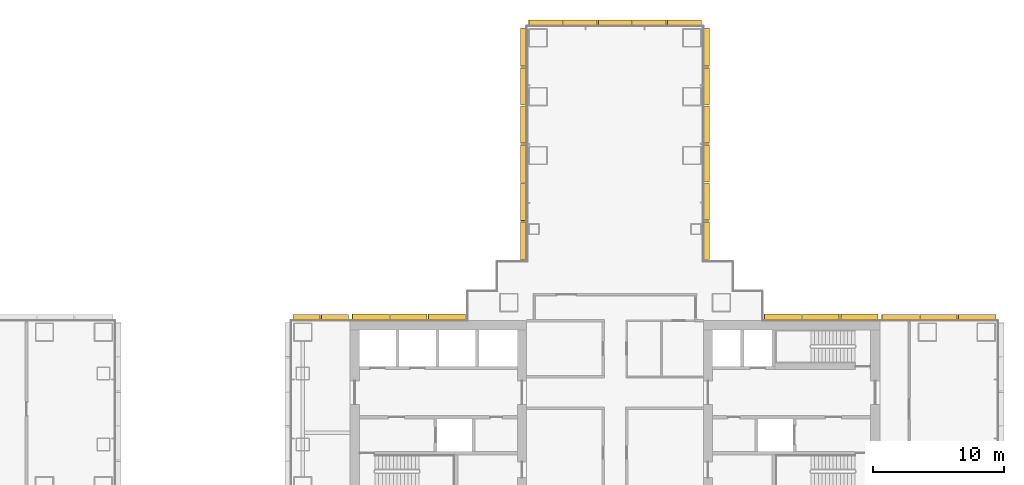
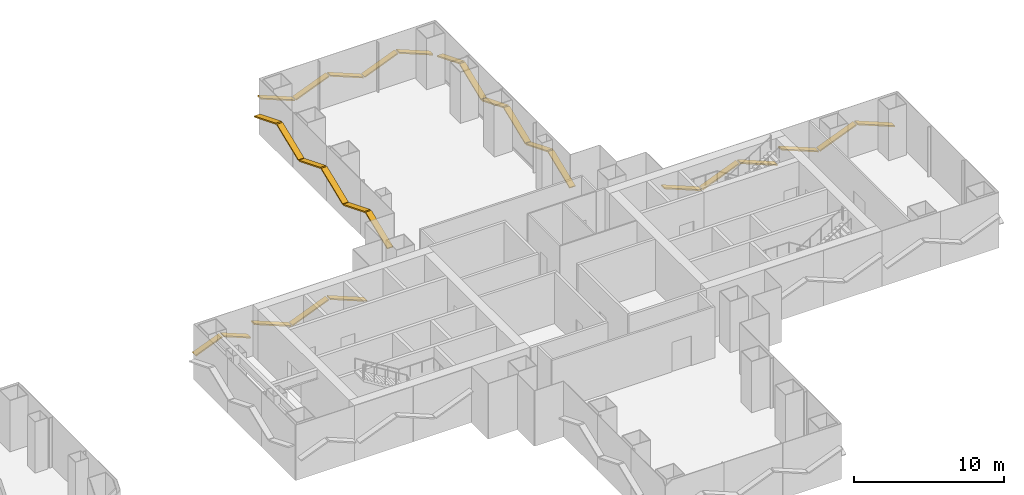
# One storey, part 22 of 22: 28 shading devices.
"""IFC4 building model written with IfcOpenShell, lengths in metres."""

from ifc_helpers import new_model, si_unit, direction, frame, origin, origin_2d, place, context, subcontext, project, spatial, rectangle, extrude, material, material_profile, profile_set, type_object, element, save


model = new_model("IFC4")

# Units and contexts
model_context = context("Model", 3, precision=1e-05, world=origin(), true_north=direction((0.0, 1.0)))
body_context = subcontext(model_context, "Body", "Model", "MODEL_VIEW")
ifc_project = project(units=[si_unit("LENGTHUNIT", "METRE"), si_unit("AREAUNIT", "SQUARE_METRE"), si_unit("VOLUMEUNIT", "CUBIC_METRE"), si_unit("PLANEANGLEUNIT", "RADIAN"), si_unit("MASSUNIT", "GRAM", prefix="KILO")], contexts=[model_context])

# Site, building, storey
site_placement = place(None, origin())
site = spatial("IfcSite", under=ifc_project, at=site_placement, CompositionType="ELEMENT")
building_placement = place(site_placement, origin())
building = spatial("IfcBuilding", under=site, at=building_placement, Name="Shamsa Quay Exchange Towers", CompositionType="ELEMENT")
storey_placement = place(building_placement, frame((0.0, 0.0, 37.5)))
storey = spatial("IfcBuildingStorey", under=building, at=storey_placement, Name="L07", CompositionType="ELEMENT", Elevation=37.5)

# Shading devices
ifc_material = material(Name="Aluminium EN AW-6063 T6, black anodised", Category="aluminium")
ifc_material_profile = material_profile(ifc_material, rectangle(XDim=0.449951171875, YDim=0.10009765625, at=origin_2d()), Name="FIN450x100")
ifc_profile_set = profile_set([ifc_material_profile], Name="Aluminium EN AW-6063 T6, black anodised")
shading_device_type = type_object("IfcShadingDeviceType", Name="FIN 450x100 BLACK ALUMINIUM", PredefinedType="USERDEFINED", material=ifc_profile_set)
shading_device_1_placement = place(storey_placement, frame((62.85009765625, 7.014892578125, 1.32421875), z_axis=(-0.927172879528, 0.0, 0.374633756445), x_axis=(0.0, -1.0, 0.0)))
element("IfcShadingDevice", 1, at=shading_device_1_placement, inside=storey, type_object=shading_device_type, Name="FIN T2 chevron rib", ObjectType="FIN", PredefinedType="USERDEFINED", context=body_context, shape_type="SweptSolid", body=[
    extrude(rectangle(XDim=0.449951171875, YDim=0.10009765625, at=origin_2d()), origin(), (0.0, 0.0, 1.0), 3.073974609375),
])
shading_device_2_placement = place(storey_placement, frame((59.89990234375, 7.014892578125, 2.465576171875), z_axis=(-0.927194321903, 0.0, -0.374580684808), x_axis=(0.0, -1.0, 0.0)))
element("IfcShadingDevice", 2, at=shading_device_2_placement, inside=storey, type_object=shading_device_type, Name="FIN T2 chevron rib", ObjectType="FIN", PredefinedType="USERDEFINED", context=body_context, shape_type="SweptSolid", body=[
    extrude(rectangle(XDim=0.449951171875, YDim=0.10009765625, at=origin_2d()), origin(), (0.0, 0.0, 1.0), 3.01953125),
])
for number, where, z_axis, x_axis, name in (
    (3, (57.0, 7.014892578125, 1.32421875), (-0.927172879528, 0.0, 0.374633756445), (0.0, -1.0, 0.0), "FIN T2 chevron rib"),
    (4, (53.85009765625, 7.01904296875, 1.32421875), (-0.927172879528, 0.0, 0.374633756445), (0.0, -1.0, 0.0), "FIN T2 chevron rib"),
):
    element("IfcShadingDevice", number, at=place(storey_placement, frame(where, z_axis=z_axis, x_axis=x_axis)), inside=storey, type_object=shading_device_type, Name=name, ObjectType="FIN", PredefinedType="USERDEFINED", context=body_context, shape_type="SweptSolid", body=[
        extrude(rectangle(XDim=0.449951171875, YDim=0.10009765625, at=origin_2d()), origin(), (0.0, 0.0, 1.0), 3.073974609375),
    ])
shading_device_3_placement = place(storey_placement, frame((50.89990234375, 7.01904296875, 2.465576171875), z_axis=(-0.927194321903, 0.0, -0.374580684808), x_axis=(0.0, -1.0, 0.0)))
element("IfcShadingDevice", 5, at=shading_device_3_placement, inside=storey, type_object=shading_device_type, Name="FIN T2 chevron rib", ObjectType="FIN", PredefinedType="USERDEFINED", context=body_context, shape_type="SweptSolid", body=[
    extrude(rectangle(XDim=0.449951171875, YDim=0.10009765625, at=origin_2d()), origin(), (0.0, 0.0, 1.0), 3.01953125),
])
shading_device_4_placement = place(storey_placement, frame((48.0, 7.01904296875, 1.32421875), z_axis=(-0.927172879528, 0.0, 0.374633756445), x_axis=(0.0, -1.0, 0.0)))
element("IfcShadingDevice", 6, at=shading_device_4_placement, inside=storey, type_object=shading_device_type, Name="FIN T2 chevron rib", ObjectType="FIN", PredefinedType="USERDEFINED", context=body_context, shape_type="SweptSolid", body=[
    extrude(rectangle(XDim=0.449951171875, YDim=0.10009765625, at=origin_2d()), origin(), (0.0, 0.0, 1.0), 3.073974609375),
])
shading_device_5_placement = place(storey_placement, frame((40.764892578125, 11.43798828125, 1.3154296875), z_axis=(0.0, 0.927181758575, 0.374611781137), x_axis=(-1.0, 0.0, 0.0)))
element("IfcShadingDevice", 7, at=shading_device_5_placement, inside=storey, type_object=shading_device_type, Name="FIN T2 chevron rib", ObjectType="FIN", PredefinedType="USERDEFINED", context=body_context, shape_type="SweptSolid", body=[
    extrude(rectangle(XDim=0.449951171875, YDim=0.10009765625, at=origin_2d()), origin(), (0.0, 0.0, 1.0), 3.12109375),
])
for number, where, z_axis, x_axis, name in (
    (8, (40.764892578125, 14.431640625, 2.474365234375), (0.0, 0.927186549588, -0.374599922936), (-1.0, 0.0, 0.0), "FIN T2 chevron rib"),
    (9, (40.764892578125, 17.375244140625, 1.325439453125), (0.0, 0.927186549588, 0.374599922936), (-1.0, 0.0, 0.0), "FIN T2 chevron rib"),
):
    element("IfcShadingDevice", number, at=place(storey_placement, frame(where, z_axis=z_axis, x_axis=x_axis)), inside=storey, type_object=shading_device_type, Name=name, ObjectType="FIN", PredefinedType="USERDEFINED", context=body_context, shape_type="SweptSolid", body=[
        extrude(rectangle(XDim=0.449951171875, YDim=0.10009765625, at=origin_2d()), origin(), (0.0, 0.0, 1.0), 3.067138671875),
    ])
shading_device_6_placement = place(storey_placement, frame((40.764892578125, 20.319091796875, 2.474365234375), z_axis=(0.0, 0.927175378404, -0.374627571973), x_axis=(-1.0, 0.0, 0.0)))
element("IfcShadingDevice", 10, at=shading_device_6_placement, inside=storey, type_object=shading_device_type, Name="FIN T2 chevron rib", ObjectType="FIN", PredefinedType="USERDEFINED", context=body_context, shape_type="SweptSolid", body=[
    extrude(rectangle(XDim=0.449951171875, YDim=0.10009765625, at=origin_2d()), origin(), (0.0, 0.0, 1.0), 3.06689453125),
])
shading_device_7_placement = place(storey_placement, frame((40.764892578125, 23.2626953125, 1.325439453125), z_axis=(0.0, 0.927186549588, 0.374599922936), x_axis=(-1.0, 0.0, 0.0)))
element("IfcShadingDevice", 11, at=shading_device_7_placement, inside=storey, type_object=shading_device_type, Name="FIN T2 chevron rib", ObjectType="FIN", PredefinedType="USERDEFINED", context=body_context, shape_type="SweptSolid", body=[
    extrude(rectangle(XDim=0.449951171875, YDim=0.10009765625, at=origin_2d()), origin(), (0.0, 0.0, 1.0), 3.067138671875),
])
shading_device_8_placement = place(storey_placement, frame((40.764892578125, 26.206298828125, 2.484619140625), z_axis=(0.0, 0.927181758575, -0.374611781137), x_axis=(-1.0, 0.0, 0.0)))
element("IfcShadingDevice", 12, at=shading_device_8_placement, inside=storey, type_object=shading_device_type, Name="FIN T2 chevron rib", ObjectType="FIN", PredefinedType="USERDEFINED", context=body_context, shape_type="SweptSolid", body=[
    extrude(rectangle(XDim=0.449951171875, YDim=0.10009765625, at=origin_2d()), origin(), (0.0, 0.0, 1.0), 3.12109375),
])
shading_device_9_placement = place(storey_placement, frame((40.35009765625, 29.514892578125, 1.376708984375), z_axis=(-0.927193392866, 0.0, 0.374582984431), x_axis=(0.0, -1.0, 0.0)))
element("IfcShadingDevice", 13, at=shading_device_9_placement, inside=storey, type_object=shading_device_type, Name="FIN T2 chevron rib", ObjectType="FIN", PredefinedType="USERDEFINED", context=body_context, shape_type="SweptSolid", body=[
    extrude(rectangle(XDim=0.449951171875, YDim=0.10009765625, at=origin_2d()), origin(), (0.0, 0.0, 1.0), 2.79345703125),
])
shading_device_10_placement = place(storey_placement, frame((37.659912109375, 29.514892578125, 2.4130859375), z_axis=(-0.92718648049, 0.0, -0.374600093963), x_axis=(0.0, -1.0, 0.0)))
element("IfcShadingDevice", 14, at=shading_device_10_placement, inside=storey, type_object=shading_device_type, Name="FIN T2 chevron rib", ObjectType="FIN", PredefinedType="USERDEFINED", context=body_context, shape_type="SweptSolid", body=[
    extrude(rectangle(XDim=0.449951171875, YDim=0.10009765625, at=origin_2d()), origin(), (0.0, 0.0, 1.0), 2.7392578125),
])
shading_device_11_placement = place(storey_placement, frame((35.02001953125, 29.514892578125, 1.386962890625), z_axis=(-0.927198985683, 0.0, 0.37456914041), x_axis=(0.0, -1.0, 0.0)))
element("IfcShadingDevice", 15, at=shading_device_11_placement, inside=storey, type_object=shading_device_type, Name="FIN T2 chevron rib", ObjectType="FIN", PredefinedType="USERDEFINED", context=body_context, shape_type="SweptSolid", body=[
    extrude(rectangle(XDim=0.449951171875, YDim=0.10009765625, at=origin_2d()), origin(), (0.0, 0.0, 1.0), 2.739501953125),
])
shading_device_12_placement = place(storey_placement, frame((32.3798828125, 29.514892578125, 2.4130859375), z_axis=(-0.92718648049, 0.0, -0.374600093963), x_axis=(0.0, -1.0, 0.0)))
element("IfcShadingDevice", 16, at=shading_device_12_placement, inside=storey, type_object=shading_device_type, Name="FIN T2 chevron rib", ObjectType="FIN", PredefinedType="USERDEFINED", context=body_context, shape_type="SweptSolid", body=[
    extrude(rectangle(XDim=0.449951171875, YDim=0.10009765625, at=origin_2d()), origin(), (0.0, 0.0, 1.0), 2.7392578125),
])
shading_device_13_placement = place(storey_placement, frame((29.739990234375, 29.514892578125, 1.376708984375), z_axis=(-0.927193392866, 0.0, 0.374582984431), x_axis=(0.0, -1.0, 0.0)))
element("IfcShadingDevice", 17, at=shading_device_13_placement, inside=storey, type_object=shading_device_type, Name="FIN T2 chevron rib", ObjectType="FIN", PredefinedType="USERDEFINED", context=body_context, shape_type="SweptSolid", body=[
    extrude(rectangle(XDim=0.449951171875, YDim=0.10009765625, at=origin_2d()), origin(), (0.0, 0.0, 1.0), 2.79345703125),
])
shading_device_14_placement = place(storey_placement, frame((26.735107421875, 29.10009765625, 1.314208984375), z_axis=(0.0, -0.927195444727, 0.374577905484), x_axis=(1.0, 0.0, 0.0)))
element("IfcShadingDevice", 18, at=shading_device_14_placement, inside=storey, type_object=shading_device_type, Name="FIN T2 chevron rib", ObjectType="FIN", PredefinedType="USERDEFINED", context=body_context, shape_type="SweptSolid", body=[
    extrude(rectangle(XDim=0.449951171875, YDim=0.10009765625, at=origin_2d()), origin(), (0.0, 0.0, 1.0), 3.1279296875),
])
shading_device_15_placement = place(storey_placement, frame((26.735107421875, 26.10009765625, 2.475830078125), z_axis=(0.0, -0.927172879528, -0.374633756445), x_axis=(1.0, 0.0, 0.0)))
element("IfcShadingDevice", 19, at=shading_device_15_placement, inside=storey, type_object=shading_device_type, Name="FIN T2 chevron rib", ObjectType="FIN", PredefinedType="USERDEFINED", context=body_context, shape_type="SweptSolid", body=[
    extrude(rectangle(XDim=0.449951171875, YDim=0.10009765625, at=origin_2d()), origin(), (0.0, 0.0, 1.0), 3.073974609375),
])
for number, where, z_axis, x_axis, name in (
    (20, (26.735107421875, 23.14990234375, 1.32421875), (0.0, -0.927161731378, 0.374661345576), (1.0, 0.0, 0.0), "FIN T2 chevron rib"),
    (21, (26.735107421875, 20.199951171875, 2.475830078125), (0.0, -0.927161731378, -0.374661345576), (1.0, 0.0, 0.0), "FIN T2 chevron rib"),
):
    element("IfcShadingDevice", number, at=place(storey_placement, frame(where, z_axis=z_axis, x_axis=x_axis)), inside=storey, type_object=shading_device_type, Name=name, ObjectType="FIN", PredefinedType="USERDEFINED", context=body_context, shape_type="SweptSolid", body=[
        extrude(rectangle(XDim=0.449951171875, YDim=0.10009765625, at=origin_2d()), origin(), (0.0, 0.0, 1.0), 3.07373046875),
    ])
shading_device_16_placement = place(storey_placement, frame((26.735107421875, 17.25, 1.32421875), z_axis=(0.0, -0.927172879528, 0.374633756445), x_axis=(1.0, 0.0, 0.0)))
element("IfcShadingDevice", 22, at=shading_device_16_placement, inside=storey, type_object=shading_device_type, Name="FIN T2 chevron rib", ObjectType="FIN", PredefinedType="USERDEFINED", context=body_context, shape_type="SweptSolid", body=[
    extrude(rectangle(XDim=0.449951171875, YDim=0.10009765625, at=origin_2d()), origin(), (0.0, 0.0, 1.0), 3.073974609375),
])
shading_device_17_placement = place(storey_placement, frame((26.735107421875, 14.300048828125, 2.48583984375), z_axis=(0.0, -0.927195444727, -0.374577905484), x_axis=(1.0, 0.0, 0.0)))
element("IfcShadingDevice", 23, at=shading_device_17_placement, inside=storey, type_object=shading_device_type, Name="FIN T2 chevron rib", ObjectType="FIN", PredefinedType="USERDEFINED", context=body_context, shape_type="SweptSolid", body=[
    extrude(rectangle(XDim=0.449951171875, YDim=0.10009765625, at=origin_2d()), origin(), (0.0, 0.0, 1.0), 3.1279296875),
])
shading_device_18_placement = place(storey_placement, frame((22.31201171875, 7.01904296875, 1.326904296875), z_axis=(-0.927200279974, 0.0, 0.374565936541), x_axis=(0.0, -1.0, 0.0)))
element("IfcShadingDevice", 24, at=shading_device_18_placement, inside=storey, type_object=shading_device_type, Name="FIN T2 chevron rib", ObjectType="FIN", PredefinedType="USERDEFINED", context=body_context, shape_type="SweptSolid", body=[
    extrude(rectangle(XDim=0.449951171875, YDim=0.10009765625, at=origin_2d()), origin(), (0.0, 0.0, 1.0), 3.060302734375),
])
shading_device_19_placement = place(storey_placement, frame((19.374755859375, 7.01904296875, 2.463134765625), z_axis=(-0.927177294124, 0.0, -0.374622830673), x_axis=(0.0, -1.0, 0.0)))
element("IfcShadingDevice", 25, at=shading_device_19_placement, inside=storey, type_object=shading_device_type, Name="FIN T2 chevron rib", ObjectType="FIN", PredefinedType="USERDEFINED", context=body_context, shape_type="SweptSolid", body=[
    extrude(rectangle(XDim=0.449951171875, YDim=0.10009765625, at=origin_2d()), origin(), (0.0, 0.0, 1.0), 3.00634765625),
])
shading_device_20_placement = place(storey_placement, frame((16.4873046875, 7.01904296875, 1.326904296875), z_axis=(-0.927200279974, 0.0, 0.374565936541), x_axis=(0.0, -1.0, 0.0)))
element("IfcShadingDevice", 26, at=shading_device_20_placement, inside=storey, type_object=shading_device_type, Name="FIN T2 chevron rib", ObjectType="FIN", PredefinedType="USERDEFINED", context=body_context, shape_type="SweptSolid", body=[
    extrude(rectangle(XDim=0.449951171875, YDim=0.10009765625, at=origin_2d()), origin(), (0.0, 0.0, 1.0), 3.060302734375),
])
for number, where, z_axis, x_axis, name in (
    (27, (13.35009765625, 7.014892578125, 1.48583984375), (-0.927168828628, 0.0, 0.374643781772), (0.0, -1.0, 0.0), "FIN T2 chevron rib"),
    (28, (11.199951171875, 7.014892578125, 2.314208984375), (-0.927168828628, 0.0, -0.374643781772), (0.0, -1.0, 0.0), "FIN T2 chevron rib"),
):
    element("IfcShadingDevice", number, at=place(storey_placement, frame(where, z_axis=z_axis, x_axis=x_axis)), inside=storey, type_object=shading_device_type, Name=name, ObjectType="FIN", PredefinedType="USERDEFINED", context=body_context, shape_type="SweptSolid", body=[
        extrude(rectangle(XDim=0.449951171875, YDim=0.10009765625, at=origin_2d()), origin(), (0.0, 0.0, 1.0), 2.211181640625),
    ])

save(model, "model.ifc")
